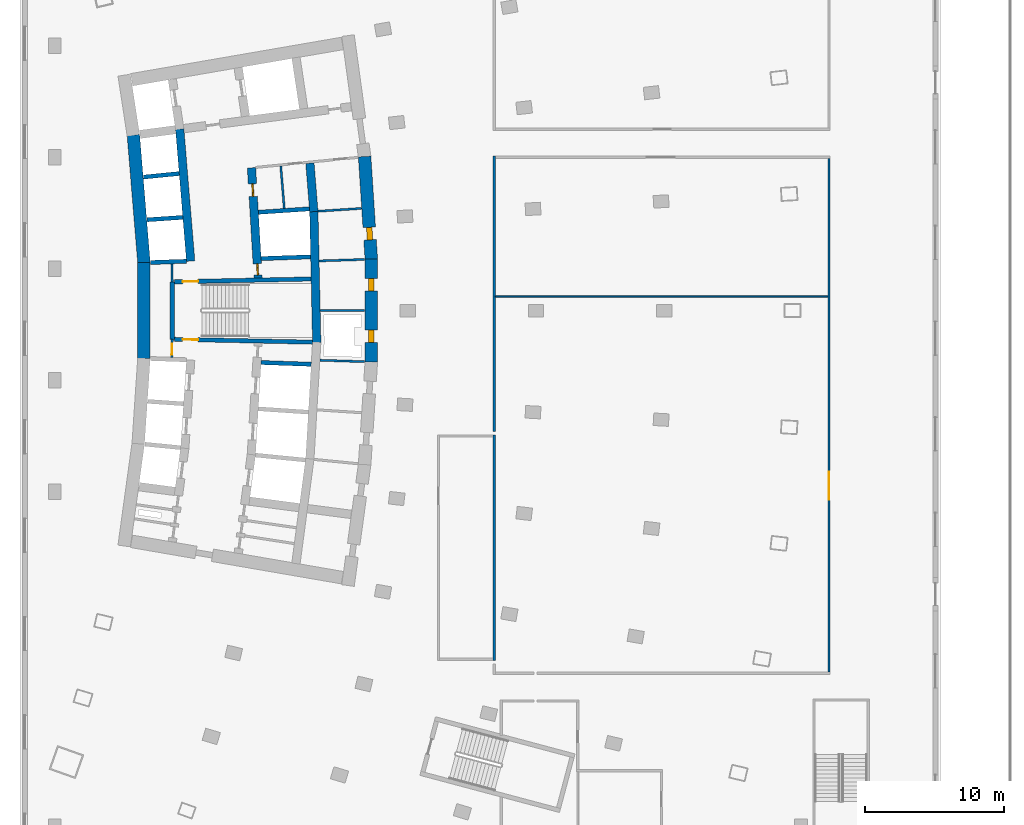
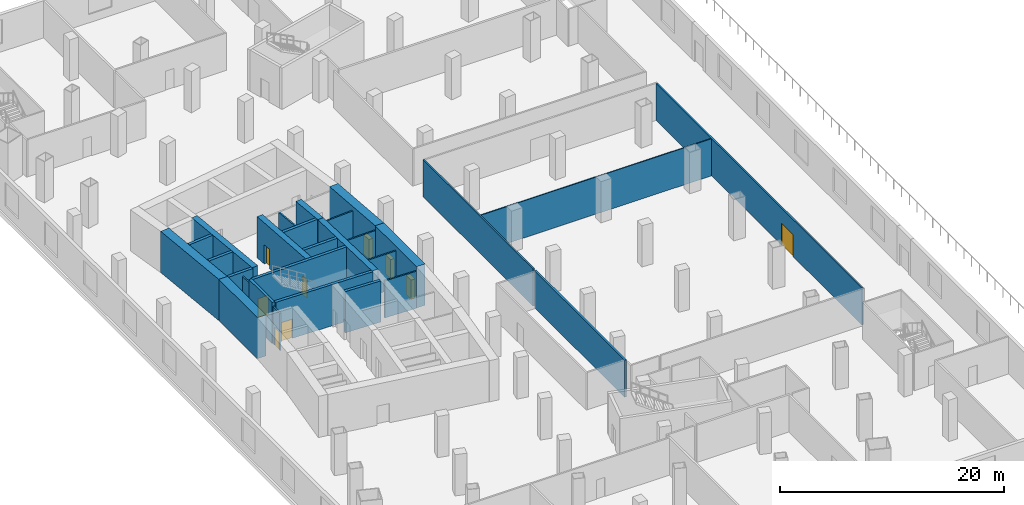
# One storey, part 5 of 14: 28 walls, 9 doors, 9 openings.
"""IFC4 building model written with IfcOpenShell, lengths in metres."""

from ifc_helpers import new_model, si_unit, direction, frame, frame_2d, origin, place, context, subcontext, project, spatial, rectangle, extrude, material, layer, layer_set, type_object, element, fill, save


model = new_model("IFC4")

# Units and contexts
model_context = context("Model", 3, precision=1e-05, world=origin(), true_north=direction((0.0, 1.0)))
body_context = subcontext(model_context, "Body", "Model", "MODEL_VIEW")
ifc_project = project(units=[si_unit("LENGTHUNIT", "METRE"), si_unit("AREAUNIT", "SQUARE_METRE"), si_unit("VOLUMEUNIT", "CUBIC_METRE"), si_unit("PLANEANGLEUNIT", "RADIAN"), si_unit("MASSUNIT", "GRAM", prefix="KILO")], contexts=[model_context])

# Site, building, storey
site_placement = place(None, origin())
site = spatial("IfcSite", under=ifc_project, at=site_placement, CompositionType="ELEMENT")
building_placement = place(site_placement, origin())
building = spatial("IfcBuilding", under=site, at=building_placement, Name="Alderwake Tower", CompositionType="ELEMENT")
storey_placement = place(building_placement, frame((0.0, 0.0, 23.0)))
storey = spatial("IfcBuildingStorey", under=building, at=storey_placement, Name="L04", CompositionType="ELEMENT", Elevation=23.0)

# Wall, opening, door
ifc_material_1 = material(Name="Gypsum shaft wall system, rated")
ifc_layer_1 = layer(ifc_material_1, 0.14990234375)
ifc_layer_set_1 = layer_set([ifc_layer_1], Name="Core room partition 150")
wall_type_1 = type_object("IfcWallType", Name="Core room partition 150", PredefinedType="PARTITIONING", material=ifc_layer_set_1)
wall_1_placement = place(storey_placement, frame((18.918701171875, 58.94384765625, 0.0), z_axis=(0.0, 0.0, 1.0), x_axis=(-0.027348257573, -0.999625966453, 0.0)))
wall_1 = element("IfcWall", 1, at=wall_1_placement, inside=storey, type_object=wall_type_1, Name="CW/L04/PA+24_-37", PredefinedType="PARTITIONING", context=body_context, shape_type="SweptSolid", body=[
    extrude(rectangle(XDim=1.29443359375, YDim=0.14990234375, at=frame_2d((0.647216796875, 0.0))), origin(), (0.0, 0.0, 1.0), 4.050048828125),
])
opening_1_placement = place(wall_1_placement, frame((0.322998046875, 0.0, 0.0)))
opening_1 = element("IfcOpeningElement", 2, at=opening_1_placement, cuts=wall_1, Name="Opening C004", PredefinedType="OPENING", context=body_context, shape_type="SweptSolid", body=[
    extrude(rectangle(XDim=0.800048828125, YDim=2.0, at=frame_2d((0.39990234375, 1.0))), frame((0.0, 0.0849609375, 0.0), z_axis=(0.0, -1.0, 0.0), x_axis=(1.0, 0.0, 0.0)), (0.0, 0.0, 1.0), 0.169921875),
])
ifc_material_2 = material(Name="Painted steel leaf, rated", Category="steel")
door_type_1 = type_object("IfcDoorType", Name="Riser access door 800", OperationType="SINGLE_SWING_LEFT", PredefinedType="DOOR", material=ifc_material_2)
door_1_placement = place(opening_1_placement, origin())
door_1 = element("IfcDoor", 3, at=door_1_placement, inside=storey, type_object=door_type_1, Name="Riser access door", OperationType="SINGLE_SWING_RIGHT", OverallHeight=2.0, OverallWidth=0.800048828125, PredefinedType="DOOR", context=body_context, shape_type="SweptSolid", body=[
    extrude(rectangle(XDim=0.800048828125, YDim=2.0, at=frame_2d((0.39990234375, 1.0))), frame((0.0, 0.02490234375, 0.0), z_axis=(0.0, -1.0, 0.0), x_axis=(1.0, 0.0, 0.0)), (0.0, 0.0, 1.0), 0.050048828125),
])
fill(opening_1, door_1)

# Walls
wall_2_placement = place(storey_placement, frame((18.918701171875, 63.05517578125, 0.0), z_axis=(0.0, 0.0, 1.0), x_axis=(-0.027327648352, 0.999626530078, 0.0)))
element("IfcWall", 4, at=wall_2_placement, inside=storey, type_object=wall_type_1, Name="CW/L04/PA+24_+22", PredefinedType="PARTITIONING", context=body_context, shape_type="SweptSolid", body=[
    extrude(rectangle(XDim=1.29541015625, YDim=0.14990234375, at=frame_2d((0.647705078125, 0.0))), origin(), (0.0, 0.0, 1.0), 4.050048828125),
])
wall_3_placement = place(storey_placement, frame((26.94970703125, 68.3203125, 0.0), z_axis=(0.0, 0.0, 1.0), x_axis=(-0.082463525817, 0.996594083321, 0.0)))
element("IfcWall", 5, at=wall_3_placement, inside=storey, type_object=wall_type_1, Name="CW/L04/PA+107_+70", PredefinedType="PARTITIONING", context=body_context, shape_type="SweptSolid", body=[
    extrude(rectangle(XDim=3.055419921875, YDim=0.14990234375, at=frame_2d((1.52783203125, 0.0))), origin(), (0.0, 0.0, 1.0), 4.050048828125),
])
wall_4_placement = place(storey_placement, frame((29.50048828125, 57.4384765625, 0.0), z_axis=(0.0, 0.0, 1.0), x_axis=(0.999470508275, -0.032537717924, 0.0)))
element("IfcWall", 6, at=wall_4_placement, inside=storey, type_object=wall_type_1, Name="CW/L04/PR-34_+128", PredefinedType="PARTITIONING", context=body_context, shape_type="SweptSolid", body=[
    extrude(rectangle(XDim=3.21142578125, YDim=0.14990234375, at=frame_2d((1.605712890625, 0.0))), origin(), (0.0, 0.0, 1.0), 4.050048828125),
])
wall_5_placement = place(storey_placement, frame((29.526123046875, 61.0, 0.0), z_axis=(0.0, 0.0, 1.0), x_axis=(1.0, 0.0, 0.0)))
element("IfcWall", 7, at=wall_5_placement, inside=storey, type_object=wall_type_1, Name="CW/L04/PR+0_+128", PredefinedType="PARTITIONING", context=body_context, shape_type="SweptSolid", body=[
    extrude(rectangle(XDim=3.18408203125, YDim=0.14990234375, at=frame_2d((1.592041015625, 0.0))), origin(), (0.0, 0.0, 1.0), 4.050048828125),
])
wall_6_placement = place(storey_placement, frame((29.447509765625, 64.559814453125, 0.0), z_axis=(0.0, 0.0, 1.0), x_axis=(0.999470664956, 0.032532904763, 0.0)))
element("IfcWall", 8, at=wall_6_placement, inside=storey, type_object=wall_type_1, Name="CW/L04/PR+34_+128", PredefinedType="PARTITIONING", context=body_context, shape_type="SweptSolid", body=[
    extrude(rectangle(XDim=3.264404296875, YDim=0.14990234375, at=frame_2d((1.63232421875, 0.0))), origin(), (0.0, 0.0, 1.0), 4.050048828125),
])
wall_7_placement = place(storey_placement, frame((29.36865234375, 68.1220703125, 0.0), z_axis=(0.0, 0.0, 1.0), x_axis=(0.997885090452, 0.065002663433, 0.0)))
element("IfcWall", 9, at=wall_7_placement, inside=storey, type_object=wall_type_1, Name="CW/L04/PR+68_+128", PredefinedType="PARTITIONING", context=body_context, shape_type="SweptSolid", body=[
    extrude(rectangle(XDim=3.10986328125, YDim=0.14990234375, at=frame_2d((1.554931640625, 0.0))), origin(), (0.0, 0.0, 1.0), 4.050048828125),
])
ifc_material_3 = material(Name="Concrete C70/85", Category="concrete")
ifc_layer_2 = layer(ifc_material_3, 0.89990234375)
ifc_layer_set_2 = layer_set([ifc_layer_2], Name="Core wall outer 900 C70-85")
wall_type_2 = type_object("IfcWallType", Name="Core wall outer 900 C70-85", PredefinedType="SHEAR", material=ifc_layer_set_2)
wall_8_placement = place(storey_placement, frame((16.889404296875, 57.5546875, 0.0), z_axis=(0.0, 0.0, 1.0), x_axis=(0.0, 1.0, 0.0)))
element("IfcWall", 10, at=wall_8_placement, inside=storey, type_object=wall_type_2, Name="Core wall CW.043", PredefinedType="SHEAR", context=body_context, shape_type="SweptSolid", body=[
    extrude(rectangle(XDim=6.89404296875, YDim=0.89990234375, at=frame_2d((3.447021484375, 0.0))), origin(), (0.0, 0.0, 1.0), 4.5),
])
wall_9_placement = place(storey_placement, frame((16.890869140625, 64.41064453125, 0.0), z_axis=(0.0, 0.0, 1.0), x_axis=(-0.082624275373, 0.996580768989, 0.0)))
element("IfcWall", 11, at=wall_9_placement, inside=storey, type_object=wall_type_2, Name="Core wall CW.040", PredefinedType="SHEAR", context=body_context, shape_type="SweptSolid", body=[
    extrude(rectangle(XDim=9.210205078125, YDim=0.89990234375, at=frame_2d((4.60498046875, 0.0))), origin(), (0.0, 0.0, 1.0), 4.5),
])

# Wall, openings, doors
wall_10_placement = place(storey_placement, frame((33.190185546875, 64.69677734375, 0.0), z_axis=(0.0, 0.0, 1.0), x_axis=(0.0, -1.0, 0.0)))
wall_10 = element("IfcWall", 12, at=wall_10_placement, inside=storey, type_object=wall_type_2, Name="Core wall CW.013", PredefinedType="SHEAR", context=body_context, shape_type="SweptSolid", body=[
    extrude(rectangle(XDim=7.3935546875, YDim=0.89990234375, at=frame_2d((3.69677734375, 0.0))), origin(), (0.0, 0.0, 1.0), 4.5),
])
opening_2_placement = place(wall_10_placement, frame((5.087646484375, 0.0, 0.0)))
opening_2 = element("IfcOpeningElement", 13, at=opening_2_placement, cuts=wall_10, Name="Opening C031", PredefinedType="OPENING", context=body_context, shape_type="SweptSolid", body=[
    extrude(rectangle(XDim=0.89990234375, YDim=2.10009765625, at=frame_2d((0.449951171875, 1.050048828125))), frame((0.0, 0.4599609375, 0.0), z_axis=(0.0, -1.0, 0.0), x_axis=(1.0, 0.0, 0.0)), (0.0, 0.0, 1.0), 0.919921875),
])
opening_3_placement = place(wall_10_placement, frame((1.405517578125, 0.0, 0.0)))
opening_3 = element("IfcOpeningElement", 14, at=opening_3_placement, cuts=wall_10, Name="Opening C034", PredefinedType="OPENING", context=body_context, shape_type="SweptSolid", body=[
    extrude(rectangle(XDim=0.89990234375, YDim=2.10009765625, at=frame_2d((0.449951171875, 1.050048828125))), frame((0.0, 0.4599609375, 0.0), z_axis=(0.0, -1.0, 0.0), x_axis=(1.0, 0.0, 0.0)), (0.0, 0.0, 1.0), 0.919921875),
])
ifc_material_4 = material(Name="Painted steel leaf", Category="steel")
door_type_2 = type_object("IfcDoorType", Name="Core room door 900", OperationType="SINGLE_SWING_LEFT", PredefinedType="DOOR", material=ifc_material_4)
door_2_placement = place(opening_2_placement, origin())
door_2 = element("IfcDoor", 15, at=door_2_placement, inside=storey, type_object=door_type_2, Name="Room door", OperationType="SINGLE_SWING_RIGHT", OverallHeight=2.10009765625, OverallWidth=0.89990234375, PredefinedType="DOOR", context=body_context, shape_type="SweptSolid", body=[
    extrude(rectangle(XDim=0.89990234375, YDim=2.10009765625, at=frame_2d((0.449951171875, 1.050048828125))), frame((0.0, 0.199951171875, 0.0), z_axis=(0.0, -1.0, 0.0), x_axis=(1.0, 0.0, 0.0)), (0.0, 0.0, 1.0), 0.39990234375),
])
fill(opening_2, door_2)
door_3_placement = place(opening_3_placement, origin())
door_3 = element("IfcDoor", 16, at=door_3_placement, inside=storey, type_object=door_type_2, Name="Room door", OperationType="SINGLE_SWING_LEFT", OverallHeight=2.10009765625, OverallWidth=0.89990234375, PredefinedType="DOOR", context=body_context, shape_type="SweptSolid", body=[
    extrude(rectangle(XDim=0.89990234375, YDim=2.10009765625, at=frame_2d((0.449951171875, 1.050048828125))), frame((0.0, 0.199951171875, 0.0), z_axis=(0.0, -1.0, 0.0), x_axis=(1.0, 0.0, 0.0)), (0.0, 0.0, 1.0), 0.39990234375),
])
fill(opening_3, door_3)

# Wall, opening, door
wall_11_placement = place(storey_placement, frame((32.710693359375, 72.04541015625, 0.0), z_axis=(0.0, 0.0, 1.0), x_axis=(0.064976219143, -0.997886812693, 0.0)))
wall_11 = element("IfcWall", 17, at=wall_11_placement, inside=storey, type_object=wall_type_2, Name="Core wall CW.010", PredefinedType="SHEAR", context=body_context, shape_type="SweptSolid", body=[
    extrude(rectangle(XDim=7.39453125, YDim=0.89990234375, at=frame_2d((3.697265625, 0.0))), origin(), (0.0, 0.0, 1.0), 4.5),
])
opening_4_placement = place(wall_11_placement, frame((5.089111328125, 0.0, 0.0)))
opening_4 = element("IfcOpeningElement", 18, at=opening_4_placement, cuts=wall_11, Name="Opening C035", PredefinedType="OPENING", context=body_context, shape_type="SweptSolid", body=[
    extrude(rectangle(XDim=0.89990234375, YDim=2.10009765625, at=frame_2d((0.449951171875, 1.050048828125))), frame((0.0, 0.4599609375, 0.0), z_axis=(0.0, -1.0, 0.0), x_axis=(1.0, 0.0, 0.0)), (0.0, 0.0, 1.0), 0.919921875),
])
door_4_placement = place(opening_4_placement, origin())
door_4 = element("IfcDoor", 19, at=door_4_placement, inside=storey, type_object=door_type_2, Name="Room door", OperationType="SINGLE_SWING_RIGHT", OverallHeight=2.10009765625, OverallWidth=0.89990234375, PredefinedType="DOOR", context=body_context, shape_type="SweptSolid", body=[
    extrude(rectangle(XDim=0.89990234375, YDim=2.10009765625, at=frame_2d((0.449951171875, 1.050048828125))), frame((0.0, 0.199951171875, 0.0), z_axis=(0.0, -1.0, 0.0), x_axis=(1.0, 0.0, 0.0)), (0.0, 0.0, 1.0), 0.39990234375),
])
fill(opening_4, door_4)

# Walls
ifc_material_5 = material(Name="Concrete C70/85", Category="concrete")
ifc_layer_3 = layer(ifc_material_5, 0.300048828125)
ifc_layer_set_3 = layer_set([ifc_layer_3], Name="Core wall shaft 300 C70-85")
wall_type_3 = type_object("IfcWallType", Name="Core wall shaft 300 C70-85", PredefinedType="SHEAR", material=ifc_layer_set_3)
wall_12_placement = place(storey_placement, frame((25.29052734375, 57.27294921875, 0.0), z_axis=(0.0, 0.0, 1.0), x_axis=(0.99937585491, -0.035325636908, 0.0)))
element("IfcWall", 20, at=wall_12_placement, inside=storey, type_object=wall_type_3, Name="Core wall CW.077", PredefinedType="SHEAR", context=body_context, shape_type="SweptSolid", body=[
    extrude(rectangle(XDim=3.59375, YDim=0.300048828125, at=frame_2d((1.796875, 0.0))), origin(), (0.0, 0.0, 1.0), 4.5),
])
wall_13_placement = place(storey_placement, frame((17.369384765625, 64.446533203125, 0.0), z_axis=(0.0, 0.0, 1.0), x_axis=(0.999371660382, 0.035444102817, 0.0)))
element("IfcWall", 21, at=wall_13_placement, inside=storey, type_object=wall_type_3, Name="Core wall CW.059", PredefinedType="SHEAR", context=body_context, shape_type="SweptSolid", body=[
    extrude(rectangle(XDim=2.5693359375, YDim=0.300048828125, at=frame_2d((1.28466796875, 0.0))), origin(), (0.0, 0.0, 1.0), 4.5),
])
wall_14_placement = place(storey_placement, frame((25.291259765625, 64.72705078125, 0.0), z_axis=(0.0, 0.0, 1.0), x_axis=(0.999373231824, 0.035399767136, 0.0)))
element("IfcWall", 22, at=wall_14_placement, inside=storey, type_object=wall_type_3, Name="Core wall CW.060", PredefinedType="SHEAR", context=body_context, shape_type="SweptSolid", body=[
    extrude(rectangle(XDim=3.5517578125, YDim=0.300048828125, at=frame_2d((1.77587890625, 0.0))), origin(), (0.0, 0.0, 1.0), 4.5),
])
wall_15_placement = place(storey_placement, frame((17.115478515625, 67.510498046875, 0.0), z_axis=(0.0, 0.0, 1.0), x_axis=(0.99775517309, 0.06696726493, 0.0)))
element("IfcWall", 23, at=wall_15_placement, inside=storey, type_object=wall_type_3, Name="Core wall CW.062", PredefinedType="SHEAR", context=body_context, shape_type="SweptSolid", body=[
    extrude(rectangle(XDim=2.566650390625, YDim=0.300048828125, at=frame_2d((1.283203125, 0.0))), origin(), (0.0, 0.0, 1.0), 4.5),
])
wall_16_placement = place(storey_placement, frame((25.09228515625, 68.04541015625, 0.0), z_axis=(0.0, 0.0, 1.0), x_axis=(0.997760946222, 0.066881194621, 0.0)))
element("IfcWall", 24, at=wall_16_placement, inside=storey, type_object=wall_type_3, Name="Core wall CW.063", PredefinedType="SHEAR", context=body_context, shape_type="SweptSolid", body=[
    extrude(rectangle(XDim=3.668701171875, YDim=0.300048828125, at=frame_2d((1.83447265625, 0.0))), origin(), (0.0, 0.0, 1.0), 4.5),
])
wall_17_placement = place(storey_placement, frame((16.86181640625, 70.571533203125, 0.0), z_axis=(0.0, 0.0, 1.0), x_axis=(0.995151424955, 0.098354671516, 0.0)))
element("IfcWall", 25, at=wall_17_placement, inside=storey, type_object=wall_type_3, Name="Core wall CW.050", PredefinedType="SHEAR", context=body_context, shape_type="SweptSolid", body=[
    extrude(rectangle(XDim=2.566650390625, YDim=0.300048828125, at=frame_2d((1.283203125, 0.0))), origin(), (0.0, 0.0, 1.0), 4.5),
])
ifc_material_6 = material(Name="Concrete C70/85", Category="concrete")
ifc_layer_4 = layer(ifc_material_6, 0.60009765625)
ifc_layer_set_4 = layer_set([ifc_layer_4], Name="Core wall spine 600 C70-85")
wall_type_4 = type_object("IfcWallType", Name="Core wall spine 600 C70-85", PredefinedType="SHEAR", material=ifc_layer_set_4)
wall_18_placement = place(storey_placement, frame((20.2373046875, 64.548095703125, 0.0), z_axis=(0.0, 0.0, 1.0), x_axis=(-0.082626598613, 0.996580576372, 0.0)))
element("IfcWall", 26, at=wall_18_placement, inside=storey, type_object=wall_type_4, Name="Core wall CW.031", PredefinedType="SHEAR", context=body_context, shape_type="SweptSolid", body=[
    extrude(rectangle(XDim=9.50244140625, YDim=0.60009765625, at=frame_2d((4.751220703125, 0.0))), origin(), (0.0, 0.0, 1.0), 4.5),
])

# Wall, openings, doors
wall_19_placement = place(storey_placement, frame((25.073974609375, 63.335693359375, 0.0), z_axis=(0.0, 0.0, 1.0), x_axis=(-0.059848641072, 0.998207463487, 0.0)))
wall_19 = element("IfcWall", 27, at=wall_19_placement, inside=storey, type_object=wall_type_4, Name="Core wall CW.045", PredefinedType="SHEAR", context=body_context, shape_type="SweptSolid", body=[
    extrude(rectangle(XDim=7.913818359375, YDim=0.60009765625, at=frame_2d((3.95703125, 0.0))), origin(), (0.0, 0.0, 1.0), 4.5),
])
opening_5_placement = place(wall_19_placement, frame((0.216064453125, 0.0, 0.0)))
opening_5 = element("IfcOpeningElement", 28, at=opening_5_placement, cuts=wall_19, Name="Opening C005", PredefinedType="OPENING", context=body_context, shape_type="SweptSolid", body=[
    extrude(rectangle(XDim=0.800048828125, YDim=2.0, at=frame_2d((0.39990234375, 1.0))), frame((0.0, 0.31005859375, 0.0), z_axis=(0.0, -1.0, 0.0), x_axis=(1.0, 0.0, 0.0)), (0.0, 0.0, 1.0), 0.6201171875),
])
opening_6_placement = place(wall_19_placement, frame((5.856201171875, 0.0, 0.0)))
opening_6 = element("IfcOpeningElement", 29, at=opening_6_placement, cuts=wall_19, Name="Opening C024", PredefinedType="OPENING", context=body_context, shape_type="SweptSolid", body=[
    extrude(rectangle(XDim=0.89990234375, YDim=2.10009765625, at=frame_2d((0.449951171875, 1.050048828125))), frame((0.0, 0.31005859375, 0.0), z_axis=(0.0, -1.0, 0.0), x_axis=(1.0, 0.0, 0.0)), (0.0, 0.0, 1.0), 0.6201171875),
])
door_5_placement = place(opening_6_placement, origin())
door_5 = element("IfcDoor", 30, at=door_5_placement, inside=storey, type_object=door_type_2, Name="Room door", OperationType="SINGLE_SWING_LEFT", OverallHeight=2.10009765625, OverallWidth=0.89990234375, PredefinedType="DOOR", context=body_context, shape_type="SweptSolid", body=[
    extrude(rectangle(XDim=0.89990234375, YDim=2.10009765625, at=frame_2d((0.449951171875, 1.050048828125))), frame((0.0, 0.050048828125, 0.0), z_axis=(0.0, -1.0, 0.0), x_axis=(1.0, 0.0, 0.0)), (0.0, 0.0, 1.0), 0.10009765625),
])
fill(opening_6, door_5)
door_6_placement = place(opening_5_placement, origin())
door_6 = element("IfcDoor", 31, at=door_6_placement, inside=storey, type_object=door_type_1, Name="Riser access door", OperationType="SINGLE_SWING_LEFT", OverallHeight=2.0, OverallWidth=0.800048828125, PredefinedType="DOOR", context=body_context, shape_type="SweptSolid", body=[
    extrude(rectangle(XDim=0.800048828125, YDim=2.0, at=frame_2d((0.39990234375, 1.0))), frame((0.0, 0.050048828125, 0.0), z_axis=(0.0, -1.0, 0.0), x_axis=(1.0, 0.0, 0.0)), (0.0, 0.0, 1.0), 0.10009765625),
])
fill(opening_5, door_6)

# Walls
wall_20_placement = place(storey_placement, frame((29.276611328125, 58.714111328125, 0.0), z_axis=(0.0, 0.0, 1.0), x_axis=(-0.022102514973, 0.999755709577, 0.0)))
element("IfcWall", 32, at=wall_20_placement, inside=storey, type_object=wall_type_4, Name="Core wall CW.007", PredefinedType="SHEAR", context=body_context, shape_type="SweptSolid", body=[
    extrude(rectangle(XDim=9.39990234375, YDim=0.60009765625, at=frame_2d((4.699951171875, 0.0))), origin(), (0.0, 0.0, 1.0), 4.5),
])
wall_21_placement = place(storey_placement, frame((29.069580078125, 68.09326171875, 0.0), z_axis=(0.0, 0.0, 1.0), x_axis=(-0.080849700234, 0.996726304445, 0.0)))
element("IfcWall", 33, at=wall_21_placement, inside=storey, type_object=wall_type_4, Name="Core wall CW.003", PredefinedType="SHEAR", context=body_context, shape_type="SweptSolid", body=[
    extrude(rectangle(XDim=3.48779296875, YDim=0.60009765625, at=frame_2d((1.743896484375, 0.0))), origin(), (0.0, 0.0, 1.0), 4.5),
])
ifc_material_7 = material(Name="Concrete C70/85", Category="concrete")
ifc_layer_5 = layer(ifc_material_7, 0.300048828125)
ifc_layer_set_5 = layer_set([ifc_layer_5], Name="Core wall stair enclosure 300 C70-85")
wall_type_5 = type_object("IfcWallType", Name="Core wall stair enclosure 300 C70-85", PredefinedType="SHEAR", material=ifc_layer_set_5)
wall_22_placement = place(storey_placement, frame((18.918701171875, 58.94091796875, 0.0), z_axis=(0.0, 0.0, 1.0), x_axis=(0.0, 1.0, 0.0)))
element("IfcWall", 34, at=wall_22_placement, inside=storey, type_object=wall_type_5, Name="Core wall CW.024", PredefinedType="SHEAR", context=body_context, shape_type="SweptSolid", body=[
    extrude(rectangle(XDim=4.119384765625, YDim=0.300048828125, at=frame_2d((2.0595703125, 0.0))), origin(), (0.0, 0.0, 1.0), 4.5),
])

# Wall, opening, door
wall_23_placement = place(storey_placement, frame((28.976318359375, 58.733154296875, 0.0), z_axis=(0.0, 0.0, 1.0), x_axis=(-0.999783804252, 0.020792901552, 0.0)))
wall_23 = element("IfcWall", 35, at=wall_23_placement, inside=storey, type_object=wall_type_5, Name="Core wall CW.074", PredefinedType="SHEAR", context=body_context, shape_type="SweptSolid", body=[
    extrude(rectangle(XDim=9.909912109375, YDim=0.300048828125, at=frame_2d((4.955078125, 0.0))), origin(), (0.0, 0.0, 1.0), 4.5),
])
opening_7_placement = place(wall_23_placement, frame((8.209716796875, 0.0, 0.0)))
opening_7 = element("IfcOpeningElement", 36, at=opening_7_placement, cuts=wall_23, Name="Opening C063", PredefinedType="OPENING", context=body_context, shape_type="SweptSolid", body=[
    extrude(rectangle(XDim=1.10009765625, YDim=2.10009765625, at=frame_2d((0.550048828125, 1.050048828125))), frame((0.0, 0.159912109375, 0.0), z_axis=(0.0, -1.0, 0.0), x_axis=(1.0, 0.0, 0.0)), (0.0, 0.0, 1.0), 0.320068359375),
])
ifc_material_8 = material(Name="Steel-framed fire door leaf", Category="steel")
door_type_3 = type_object("IfcDoorType", Name="Core stair door 1100 fire-rated", OperationType="SINGLE_SWING_LEFT", PredefinedType="DOOR", material=ifc_material_8)
door_7_placement = place(opening_7_placement, origin())
door_7 = element("IfcDoor", 37, at=door_7_placement, inside=storey, type_object=door_type_3, Name="Stair door", OperationType="SINGLE_SWING_LEFT", OverallHeight=2.10009765625, OverallWidth=1.10009765625, PredefinedType="DOOR", context=body_context, shape_type="SweptSolid", body=[
    extrude(rectangle(XDim=1.10009765625, YDim=2.10009765625, at=frame_2d((0.550048828125, 1.050048828125))), frame((0.0, 0.02490234375, 0.0), z_axis=(0.0, -1.0, 0.0), x_axis=(1.0, 0.0, 0.0)), (0.0, 0.0, 1.0), 0.050048828125),
])
fill(opening_7, door_7)

wall_24_placement = place(storey_placement, frame((19.068603515625, 63.060791015625, 0.0), z_axis=(0.0, 0.0, 1.0), x_axis=(0.999783520771, 0.020806527678, 0.0)))
wall_24 = element("IfcWall", 38, at=wall_24_placement, inside=storey, type_object=wall_type_5, Name="Core wall CW.057", PredefinedType="SHEAR", context=body_context, shape_type="SweptSolid", body=[
    extrude(rectangle(XDim=9.8095703125, YDim=0.300048828125, at=frame_2d((4.90478515625, 0.0))), origin(), (0.0, 0.0, 1.0), 4.5),
])
opening_8_placement = place(wall_24_placement, frame((0.60009765625, 0.0, 0.0)))
opening_8 = element("IfcOpeningElement", 39, at=opening_8_placement, cuts=wall_24, Name="Opening C064", PredefinedType="OPENING", context=body_context, shape_type="SweptSolid", body=[
    extrude(rectangle(XDim=1.10009765625, YDim=2.10009765625, at=frame_2d((0.550048828125, 1.050048828125))), frame((0.0, 0.159912109375, 0.0), z_axis=(0.0, -1.0, 0.0), x_axis=(1.0, 0.0, 0.0)), (0.0, 0.0, 1.0), 0.320068359375),
])
door_8_placement = place(opening_8_placement, origin())
door_8 = element("IfcDoor", 40, at=door_8_placement, inside=storey, type_object=door_type_3, Name="Stair door", OperationType="SINGLE_SWING_RIGHT", OverallHeight=2.10009765625, OverallWidth=1.10009765625, PredefinedType="DOOR", context=body_context, shape_type="SweptSolid", body=[
    extrude(rectangle(XDim=1.10009765625, YDim=2.10009765625, at=frame_2d((0.550048828125, 1.050048828125))), frame((0.0, 0.02490234375, 0.0), z_axis=(0.0, -1.0, 0.0), x_axis=(1.0, 0.0, 0.0)), (0.0, 0.0, 1.0), 0.050048828125),
])
fill(opening_8, door_8)

# Wall
ifc_material_9 = material(Name="Gypsum board on metal studs, rated")
ifc_layer_6 = layer(ifc_material_9, 0.159912109375)
ifc_layer_set_6 = layer_set([ifc_layer_6], Name="Corridor wall 160")
wall_type_6 = type_object("IfcWallType", Name="Corridor wall 160", PredefinedType="PARTITIONING", material=ifc_layer_set_6)
wall_25_placement = place(storey_placement, frame((42.0, 52.332275390625, 0.0), z_axis=(0.0, 0.0, 1.0), x_axis=(0.0, 1.0, 0.0)))
element("IfcWall", 41, at=wall_25_placement, inside=storey, type_object=wall_type_6, Name="WL/L04/W39", PredefinedType="PARTITIONING", context=body_context, shape_type="SweptSolid", body=[
    extrude(rectangle(XDim=19.747802734375, YDim=0.159912109375, at=frame_2d((9.8740234375, 0.0))), origin(), (0.0, 0.0, 1.0), 4.050048828125),
])

# Wall, opening, door
wall_26_placement = place(storey_placement, frame((66.0, 71.919921875, 0.0), z_axis=(0.0, 0.0, 1.0), x_axis=(0.0, -1.0, 0.0)))
wall_26 = element("IfcWall", 42, at=wall_26_placement, inside=storey, type_object=wall_type_6, Name="WL/L04/W61", PredefinedType="PARTITIONING", context=body_context, shape_type="SweptSolid", body=[
    extrude(rectangle(XDim=36.8388671875, YDim=0.159912109375, at=frame_2d((18.41943359375, 0.0))), origin(), (0.0, 0.0, 1.0), 4.050048828125),
])
opening_9_placement = place(wall_26_placement, frame((22.469970703125, 0.0, 0.0)))
opening_9 = element("IfcOpeningElement", 43, at=opening_9_placement, cuts=wall_26, Name="Opening L04-01", PredefinedType="OPENING", context=body_context, shape_type="SweptSolid", body=[
    extrude(rectangle(XDim=2.0, YDim=2.39990234375, at=frame_2d((1.0, 1.199951171875))), frame((0.0, 0.08984375, 0.0), z_axis=(0.0, -1.0, 0.0), x_axis=(1.0, 0.0, 0.0)), (0.0, 0.0, 1.0), 0.179931640625),
])
ifc_material_10 = material(Name="Timber leaves with glazed panels", Category="wood")
door_type_4 = type_object("IfcDoorType", Name="Hall double door 2000", OperationType="DOUBLE_DOOR_SINGLE_SWING", PredefinedType="DOOR", material=ifc_material_10)
door_9_placement = place(opening_9_placement, origin())
door_9 = element("IfcDoor", 44, at=door_9_placement, inside=storey, type_object=door_type_4, Name="DR/L04/01", OperationType="DOUBLE_DOOR_SINGLE_SWING", OverallHeight=2.39990234375, OverallWidth=2.0, PredefinedType="DOOR", context=body_context, shape_type="SweptSolid", body=[
    extrude(rectangle(XDim=2.0, YDim=2.39990234375, at=frame_2d((1.0, 1.199951171875))), frame((0.0, 0.02490234375, 0.0), z_axis=(0.0, -1.0, 0.0), x_axis=(1.0, 0.0, 0.0)), (0.0, 0.0, 1.0), 0.050048828125),
])
fill(opening_9, door_9)

# Walls
ifc_material_11 = material(Name="Dense block masonry wall", Category="masonry")
ifc_layer_7 = layer(ifc_material_11, 0.199951171875)
ifc_layer_set_7 = layer_set([ifc_layer_7], Name="Party wall 200")
wall_type_7 = type_object("IfcWallType", Name="Party wall 200", PredefinedType="SOLIDWALL", material=ifc_layer_set_7)
wall_27_placement = place(storey_placement, frame((42.0, 52.0791015625, 0.0), z_axis=(0.0, 0.0, 1.0), x_axis=(0.0, -1.0, 0.0)))
element("IfcWall", 45, at=wall_27_placement, inside=storey, type_object=wall_type_7, Name="WL/L04/W04", PredefinedType="SOLIDWALL", context=body_context, shape_type="SweptSolid", body=[
    extrude(rectangle(XDim=16.1591796875, YDim=0.199951171875, at=frame_2d((8.07958984375, 0.0))), origin(), (0.0, 0.0, 1.0), 4.050048828125),
])
ifc_material_12 = material(Name="Gypsum board on metal studs")
ifc_layer_8 = layer(ifc_material_12, 0.10009765625)
ifc_layer_set_8 = layer_set([ifc_layer_8], Name="Unit partition 100")
wall_type_8 = type_object("IfcWallType", Name="Unit partition 100", PredefinedType="PARTITIONING", material=ifc_layer_set_8)
wall_28_placement = place(storey_placement, frame((65.919921875, 62.0009765625, 0.0), z_axis=(0.0, 0.0, 1.0), x_axis=(-1.0, 0.0, 0.0)))
element("IfcWall", 46, at=wall_28_placement, inside=storey, type_object=wall_type_8, Name="WL/L04/W65", PredefinedType="PARTITIONING", context=body_context, shape_type="SweptSolid", body=[
    extrude(rectangle(XDim=23.83984375, YDim=0.10009765625, at=frame_2d((11.919921875, 0.0))), origin(), (0.0, 0.0, 1.0), 4.050048828125),
])

save(model, "model.ifc")
